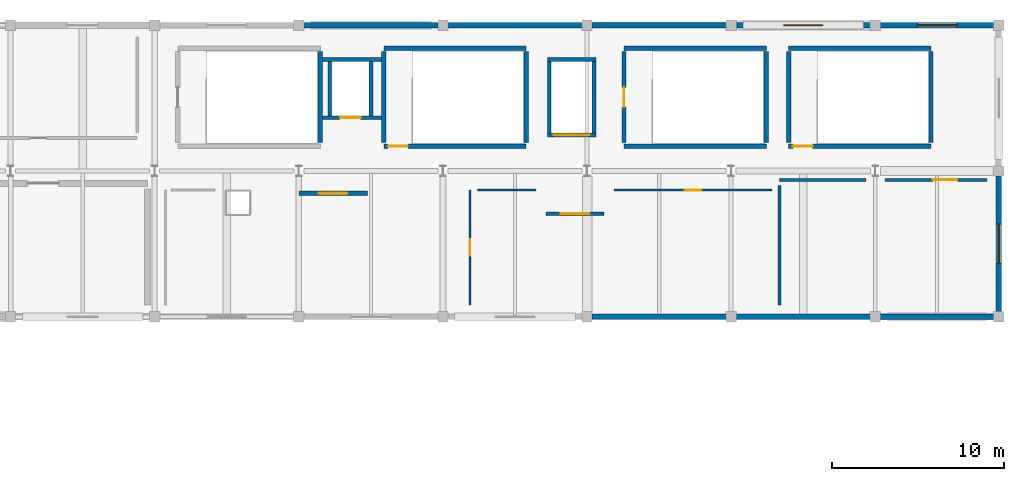
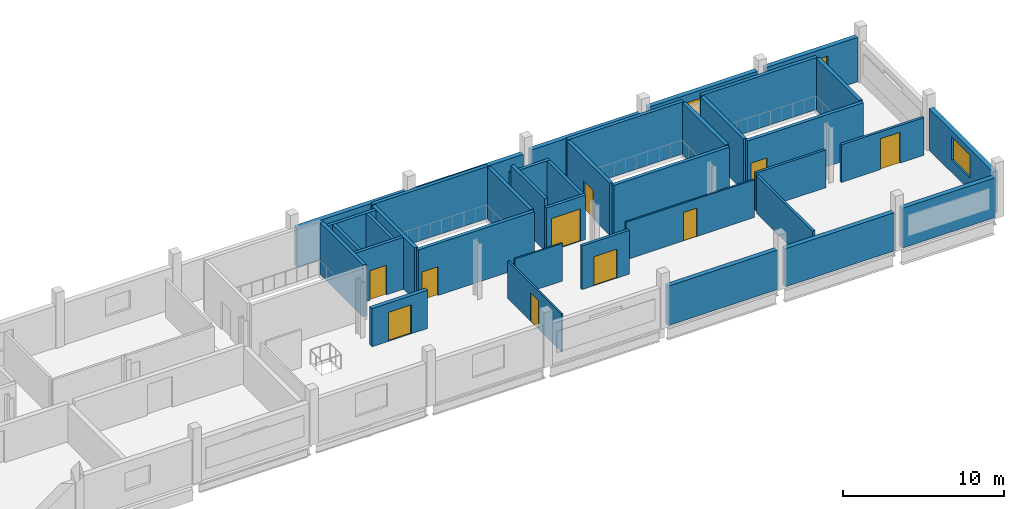
# One storey, part 10 of 13: 38 walls, 10 doors, 3 windows, 13 openings.
"""IFC4 building model written with IfcOpenShell, lengths in metres."""

from ifc_helpers import new_model, si_unit, direction, frame, frame_2d, origin, place, context, subcontext, project, spatial, rectangle, extrude, material, layer, layer_set, type_object, element, fill, save


model = new_model("IFC4")

# Units and contexts
model_context = context("Model", 3, precision=1e-05, world=origin(), true_north=direction((0.0, 1.0)))
body_context = subcontext(model_context, "Body", "Model", "MODEL_VIEW")
ifc_project = project(units=[si_unit("LENGTHUNIT", "METRE"), si_unit("AREAUNIT", "SQUARE_METRE"), si_unit("VOLUMEUNIT", "CUBIC_METRE"), si_unit("PLANEANGLEUNIT", "RADIAN"), si_unit("MASSUNIT", "GRAM", prefix="KILO")], contexts=[model_context])

# Site, building, storey
site_placement = place(None, origin())
site = spatial("IfcSite", under=ifc_project, at=site_placement, CompositionType="ELEMENT")
building_placement = place(site_placement, origin())
building = spatial("IfcBuilding", under=site, at=building_placement, Name="Solvento Point Concert Hall", CompositionType="ELEMENT")
storey_placement = place(building_placement, frame((0.0, 0.0, 23.699951171875)))
storey = spatial("IfcBuildingStorey", under=building, at=storey_placement, Name="L05", CompositionType="ELEMENT", Elevation=23.699951171875)

# Wall, opening, door
ifc_material_1 = material(Name="Acoustic Double-Stud Gypsum Partition")
ifc_layer_1 = layer(ifc_material_1, 0.1201171875)
ifc_layer_set_1 = layer_set([ifc_layer_1], Name="Acoustic Double-Stud Gypsum Partition")
wall_type_1 = type_object("IfcWallType", Name="AcousticPartition_120", PredefinedType="PARTITIONING", material=ifc_layer_set_1)
wall_1_placement = place(storey_placement, frame((185.179931640625, 126.3798828125, 0.0), z_axis=(0.0, 0.0, 1.0), x_axis=(0.0, -1.0, 0.0)))
wall_1 = element("IfcWall", 1, at=wall_1_placement, inside=storey, type_object=wall_type_1, Name="Interior acoustic partition PW-52 L05", PredefinedType="PARTITIONING", context=body_context, shape_type="SweptSolid", body=[
    extrude(rectangle(XDim=6.679931640625, YDim=0.1201171875, at=frame_2d((3.33984375, 0.0))), origin(), (0.0, 0.0, 1.0), 2.860107421875),
])
opening_1_placement = place(wall_1_placement, frame((2.85009765625, 0.0, 0.0)))
opening_1 = element("IfcOpeningElement", 2, at=opening_1_placement, cuts=wall_1, Name="Opening DR-89", PredefinedType="OPENING", context=body_context, shape_type="SweptSolid", body=[
    extrude(rectangle(XDim=0.97998046875, YDim=2.159912109375, at=frame_2d((0.489990234375, 1.080078125))), frame((0.0, 0.070068359375, 0.0), z_axis=(0.0, -1.0, 0.0), x_axis=(1.0, 0.0, 0.0)), (0.0, 0.0, 1.0), 0.14013671875),
])
ifc_material_2 = material(Name="Brazilian Hardwood Acoustic Door", Category="wood")
door_type_1 = type_object("IfcDoorType", Name="IntDoor_AdminOffice", OperationType="NOTDEFINED", PredefinedType="DOOR", material=ifc_material_2)
door_1_placement = place(opening_1_placement, origin())
door_1 = element("IfcDoor", 3, at=door_1_placement, inside=storey, type_object=door_type_1, Name="Interior door DR-89 L05", OperationType="SINGLE_SWING_RIGHT", OverallHeight=2.159912109375, OverallWidth=0.97998046875, PredefinedType="DOOR", context=body_context, shape_type="SweptSolid", body=[
    extrude(rectangle(XDim=0.97998046875, YDim=2.159912109375, at=frame_2d((0.489990234375, 1.080078125))), frame((0.0, 0.02490234375, 0.0), z_axis=(0.0, -1.0, 0.0), x_axis=(1.0, 0.0, 0.0)), (0.0, 0.0, 1.0), 0.050048828125),
])
fill(opening_1, door_1)

wall_2_placement = place(storey_placement, frame((193.570068359375, 126.3798828125, 0.0), z_axis=(0.0, 0.0, 1.0), x_axis=(1.0, 0.0, 0.0)))
wall_2 = element("IfcWall", 4, at=wall_2_placement, inside=storey, type_object=wall_type_1, Name="Interior acoustic partition PW-52 L05", PredefinedType="PARTITIONING", context=body_context, shape_type="SweptSolid", body=[
    extrude(rectangle(XDim=9.2099609375, YDim=0.1201171875, at=frame_2d((4.60498046875, 0.0))), origin(), (0.0, 0.0, 1.0), 2.860107421875),
])
opening_2_placement = place(wall_2_placement, frame((4.114990234375, 0.0, 0.0)))
opening_2 = element("IfcOpeningElement", 5, at=opening_2_placement, cuts=wall_2, Name="Opening DR-89", PredefinedType="OPENING", context=body_context, shape_type="SweptSolid", body=[
    extrude(rectangle(XDim=0.97998046875, YDim=2.159912109375, at=frame_2d((0.489990234375, 1.080078125))), frame((0.0, 0.070068359375, 0.0), z_axis=(0.0, -1.0, 0.0), x_axis=(1.0, 0.0, 0.0)), (0.0, 0.0, 1.0), 0.14013671875),
])
door_2_placement = place(opening_2_placement, origin())
door_2 = element("IfcDoor", 6, at=door_2_placement, inside=storey, type_object=door_type_1, Name="Interior door DR-89 L05", OperationType="SINGLE_SWING_LEFT", OverallHeight=2.159912109375, OverallWidth=0.97998046875, PredefinedType="DOOR", context=body_context, shape_type="SweptSolid", body=[
    extrude(rectangle(XDim=0.97998046875, YDim=2.159912109375, at=frame_2d((0.489990234375, 1.080078125))), frame((0.0, 0.02490234375, 0.0), z_axis=(0.0, -1.0, 0.0), x_axis=(1.0, 0.0, 0.0)), (0.0, 0.0, 1.0), 0.050048828125),
])
fill(opening_2, door_2)

# Walls
wall_3_placement = place(storey_placement, frame((185.6201171875, 126.3798828125, 0.0), z_axis=(0.0, 0.0, 1.0), x_axis=(1.0, 0.0, 0.0)))
element("IfcWall", 7, at=wall_3_placement, inside=storey, type_object=wall_type_1, Name="Interior acoustic partition PW-52 L05", PredefinedType="PARTITIONING", context=body_context, shape_type="SweptSolid", body=[
    extrude(rectangle(XDim=3.409912109375, YDim=0.1201171875, at=frame_2d((1.705078125, 0.0))), origin(), (0.0, 0.0, 1.0), 2.860107421875),
])
ifc_material_3 = material(Name="Acoustic Double-Stud Gypsum Partition")
ifc_layer_2 = layer(ifc_material_3, 0.179931640625)
ifc_layer_set_2 = layer_set([ifc_layer_2], Name="Acoustic Double-Stud Gypsum Partition")
wall_type_2 = type_object("IfcWallType", Name="AcousticPartition_180", PredefinedType="PARTITIONING", material=ifc_layer_set_2)
wall_4_placement = place(storey_placement, frame((203.219970703125, 126.97998046875, 0.0), z_axis=(0.0, 0.0, 1.0), x_axis=(1.0, 0.0, 0.0)))
element("IfcWall", 8, at=wall_4_placement, inside=storey, type_object=wall_type_2, Name="Interior acoustic partition PW-63 L05", PredefinedType="PARTITIONING", context=body_context, shape_type="SweptSolid", body=[
    extrude(rectangle(XDim=5.0244140625, YDim=0.179931640625, at=frame_2d((2.51220703125, 0.0))), origin(), (0.0, 0.0, 1.0), 2.860107421875),
])

# Wall, opening, door
wall_5_placement = place(storey_placement, frame((209.35546875, 126.97998046875, 0.0), z_axis=(0.0, 0.0, 1.0), x_axis=(1.0, 0.0, 0.0)))
wall_5 = element("IfcWall", 9, at=wall_5_placement, inside=storey, type_object=wall_type_2, Name="Interior acoustic partition PW-63 L05", PredefinedType="PARTITIONING", context=body_context, shape_type="SweptSolid", body=[
    extrude(rectangle(XDim=5.944580078125, YDim=0.179931640625, at=frame_2d((2.97216796875, 0.0))), origin(), (0.0, 0.0, 1.0), 2.860107421875),
])
opening_3_placement = place(wall_5_placement, frame((2.80517578125, 0.0, 0.0)))
opening_3 = element("IfcOpeningElement", 10, at=opening_3_placement, cuts=wall_5, Name="Opening DR-81", PredefinedType="OPENING", context=body_context, shape_type="SweptSolid", body=[
    extrude(rectangle(XDim=1.419921875, YDim=2.340087890625, at=frame_2d((0.7099609375, 1.169921875))), frame((0.0, 0.099853515625, 0.0), z_axis=(0.0, -1.0, 0.0), x_axis=(1.0, 0.0, 0.0)), (0.0, 0.0, 1.0), 0.199951171875),
])
ifc_material_4 = material(Name="Brazilian Hardwood Acoustic Door", Category="wood")
door_type_2 = type_object("IfcDoorType", Name="IntDoor_CanteenGreenRm", OperationType="NOTDEFINED", PredefinedType="DOOR", material=ifc_material_4)
door_3_placement = place(opening_3_placement, origin())
door_3 = element("IfcDoor", 11, at=door_3_placement, inside=storey, type_object=door_type_2, Name="Interior door DR-81 L05", OperationType="SINGLE_SWING_RIGHT", OverallHeight=2.340087890625, OverallWidth=1.419921875, PredefinedType="DOOR", context=body_context, shape_type="SweptSolid", body=[
    extrude(rectangle(XDim=1.419921875, YDim=2.340087890625, at=frame_2d((0.7099609375, 1.169921875))), frame((0.0, 0.02490234375, 0.0), z_axis=(0.0, -1.0, 0.0), x_axis=(1.0, 0.0, 0.0)), (0.0, 0.0, 1.0), 0.050048828125),
])
fill(opening_3, door_3)

# Wall
wall_6_placement = place(storey_placement, frame((203.219970703125, 119.699951171875, 0.0), z_axis=(0.0, 0.0, 1.0), x_axis=(0.0, 1.0, 0.0)))
element("IfcWall", 12, at=wall_6_placement, inside=storey, type_object=wall_type_2, Name="Interior acoustic partition PW-63 L05", PredefinedType="PARTITIONING", context=body_context, shape_type="SweptSolid", body=[
    extrude(rectangle(XDim=6.9599609375, YDim=0.179931640625, at=frame_2d((3.47998046875, 0.0))), origin(), (0.0, 0.0, 1.0), 2.860107421875),
])

# Wall, opening, door
ifc_material_5 = material(Name="Acoustic Double-Stud Gypsum Partition")
ifc_layer_3 = layer(ifc_material_5, 0.2080078125)
ifc_layer_set_3 = layer_set([ifc_layer_3], Name="Acoustic Double-Stud Gypsum Partition")
wall_type_3 = type_object("IfcWallType", Name="AcousticPartition_208", PredefinedType="PARTITIONING", material=ifc_layer_set_3)
wall_7_placement = place(storey_placement, frame((189.60009765625, 125.0, 0.0), z_axis=(0.0, 0.0, 1.0), x_axis=(1.0, 0.0, 0.0)))
wall_7 = element("IfcWall", 13, at=wall_7_placement, inside=storey, type_object=wall_type_3, Name="Lift lobby partition LG-02 L05", PredefinedType="PARTITIONING", context=body_context, shape_type="SweptSolid", body=[
    extrude(rectangle(XDim=3.39990234375, YDim=0.2080078125, at=frame_2d((1.699951171875, 0.0))), origin(), (0.0, 0.0, 1.0), 3.316162109375),
])
opening_4_placement = place(wall_7_placement, frame((0.875, 0.0, 0.0)))
opening_4 = element("IfcOpeningElement", 14, at=opening_4_placement, cuts=wall_7, Name="Opening D-FL1", PredefinedType="OPENING", context=body_context, shape_type="SweptSolid", body=[
    extrude(rectangle(XDim=1.64990234375, YDim=2.199951171875, at=frame_2d((0.824951171875, 1.10009765625))), frame((0.0, 0.114013671875, 0.0), z_axis=(0.0, -1.0, 0.0), x_axis=(1.0, 0.0, 0.0)), (0.0, 0.0, 1.0), 0.22802734375),
])
ifc_material_6 = material(Name="Hollow Metal Acoustic Fire Door")
door_type_3 = type_object("IfcDoorType", Name="FireLobbyDoor_1600", OperationType="DOUBLE_DOOR_SINGLE_SWING", PredefinedType="DOOR", material=ifc_material_6)
door_4_placement = place(opening_4_placement, origin())
door_4 = element("IfcDoor", 15, at=door_4_placement, inside=storey, type_object=door_type_3, Name="Lift lobby door LG-02 L05", OperationType="DOUBLE_DOOR_SINGLE_SWING", OverallHeight=2.199951171875, OverallWidth=1.64990234375, PredefinedType="DOOR", context=body_context, shape_type="SweptSolid", body=[
    extrude(rectangle(XDim=1.64990234375, YDim=2.199951171875, at=frame_2d((0.824951171875, 1.10009765625))), frame((0.0, 0.02490234375, 0.0), z_axis=(0.0, -1.0, 0.0), x_axis=(1.0, 0.0, 0.0)), (0.0, 0.0, 1.0), 0.050048828125),
])
fill(opening_4, door_4)

# Walls
ifc_material_7 = material(Name="Concrete C40/50", Category="concrete")
ifc_layer_4 = layer(ifc_material_7, 0.300048828125)
ifc_layer_set_4 = layer_set([ifc_layer_4], Name="Concrete C40/50")
wall_type_4 = type_object("IfcWallType", Name="CoreShearWall_300", PredefinedType="SHEAR", material=ifc_layer_set_4)
wall_8_placement = place(storey_placement, frame((176.449951171875, 134.449951171875, 0.0), z_axis=(0.0, 0.0, 1.0), x_axis=(0.0, -1.0, 0.0)))
element("IfcWall", 16, at=wall_8_placement, inside=storey, type_object=wall_type_4, Name="Stair core shear wall W-SH1 ST-01 L05", PredefinedType="SHEAR", context=body_context, shape_type="SweptSolid", body=[
    extrude(rectangle(XDim=5.300048828125, YDim=0.25, at=frame_2d((2.64990234375, 0.0))), origin(), (0.0, 0.0, 1.0), 3.93994140625),
])
for number, where, z_axis, x_axis, name in (
    (17, (202.449951171875, 128.949951171875, 0.0), (0.0, 0.0, 1.0), (-1.0, 0.0, 0.0), "Stair core shear wall W-SH1 ST-02 L05"),
    (18, (194.14990234375, 134.64990234375, 0.0), (0.0, 0.0, 1.0), (1.0, 0.0, 0.0), "Stair core shear wall W-SH1 ST-02 L05"),
):
    element("IfcWall", number, at=place(storey_placement, frame(where, z_axis=z_axis, x_axis=x_axis)), inside=storey, type_object=wall_type_4, Name=name, PredefinedType="SHEAR", context=body_context, shape_type="SweptSolid", body=[
        extrude(rectangle(XDim=8.300048828125, YDim=0.25, at=frame_2d((4.14990234375, 0.0))), origin(), (0.0, 0.0, 1.0), 3.93994140625),
    ])

# Wall, opening, door
wall_9_placement = place(storey_placement, frame((194.14990234375, 129.14990234375, 0.0), z_axis=(0.0, 0.0, 1.0), x_axis=(0.0, 1.0, 0.0)))
wall_9 = element("IfcWall", 19, at=wall_9_placement, inside=storey, type_object=wall_type_4, Name="Stair core shear wall W-SH1 ST-02 L05", PredefinedType="SHEAR", context=body_context, shape_type="SweptSolid", body=[
    extrude(rectangle(XDim=5.300048828125, YDim=0.25, at=frame_2d((2.64990234375, 0.0))), origin(), (0.0, 0.0, 1.0), 3.93994140625),
])
opening_5_placement = place(wall_9_placement, frame((2.074951171875, 0.0, 0.0)))
opening_5 = element("IfcOpeningElement", 20, at=opening_5_placement, cuts=wall_9, Name="Opening D-ST1", PredefinedType="OPENING", context=body_context, shape_type="SweptSolid", body=[
    extrude(rectangle(XDim=1.14990234375, YDim=2.179931640625, at=frame_2d((0.574951171875, 1.08984375))), frame((0.0, 0.135009765625, 0.0), z_axis=(0.0, -1.0, 0.0), x_axis=(1.0, 0.0, 0.0)), (0.0, 0.0, 1.0), 0.27001953125),
])
ifc_material_8 = material(Name="Hollow Metal Acoustic Fire Door")
door_type_4 = type_object("IfcDoorType", Name="StairFireDoor_1150", OperationType="NOTDEFINED", PredefinedType="DOOR", material=ifc_material_8)
door_5_placement = place(opening_5_placement, origin())
door_5 = element("IfcDoor", 21, at=door_5_placement, inside=storey, type_object=door_type_4, Name="Protected exit stair door ST-02 L05", OperationType="SINGLE_SWING_RIGHT", OverallHeight=2.179931640625, OverallWidth=1.14990234375, PredefinedType="DOOR", context=body_context, shape_type="SweptSolid", body=[
    extrude(rectangle(XDim=1.14990234375, YDim=2.179931640625, at=frame_2d((0.574951171875, 1.08984375))), frame((0.0, 0.02490234375, 0.0), z_axis=(0.0, -1.0, 0.0), x_axis=(1.0, 0.0, 0.0)), (0.0, 0.0, 1.0), 0.050048828125),
])
fill(opening_5, door_5)

# Wall
wall_10_placement = place(storey_placement, frame((202.449951171875, 134.449951171875, 0.0), z_axis=(0.0, 0.0, 1.0), x_axis=(0.0, -1.0, 0.0)))
element("IfcWall", 22, at=wall_10_placement, inside=storey, type_object=wall_type_4, Name="Stair core shear wall W-SH1 ST-02 L05", PredefinedType="SHEAR", context=body_context, shape_type="SweptSolid", body=[
    extrude(rectangle(XDim=5.300048828125, YDim=0.25, at=frame_2d((2.64990234375, 0.0))), origin(), (0.0, 0.0, 1.0), 3.93994140625),
])

# Wall, opening, door
wall_11_placement = place(storey_placement, frame((188.449951171875, 128.949951171875, 0.0), z_axis=(0.0, 0.0, 1.0), x_axis=(-1.0, 0.0, 0.0)))
wall_11 = element("IfcWall", 23, at=wall_11_placement, inside=storey, type_object=wall_type_4, Name="Stair core shear wall W-SH1 ST-10 L05", PredefinedType="SHEAR", context=body_context, shape_type="SweptSolid", body=[
    extrude(rectangle(XDim=8.300048828125, YDim=0.25, at=frame_2d((4.14990234375, 0.0))), origin(), (0.0, 0.0, 1.0), 3.93994140625),
])
opening_6_placement = place(wall_11_placement, frame((6.89990234375, 0.0, 0.0)))
opening_6 = element("IfcOpeningElement", 24, at=opening_6_placement, cuts=wall_11, Name="Opening D-ST1", PredefinedType="OPENING", context=body_context, shape_type="SweptSolid", body=[
    extrude(rectangle(XDim=1.14990234375, YDim=2.179931640625, at=frame_2d((0.574951171875, 1.08984375))), frame((0.0, 0.135009765625, 0.0), z_axis=(0.0, -1.0, 0.0), x_axis=(1.0, 0.0, 0.0)), (0.0, 0.0, 1.0), 0.27001953125),
])
door_6_placement = place(opening_6_placement, origin())
door_6 = element("IfcDoor", 25, at=door_6_placement, inside=storey, type_object=door_type_4, Name="Protected exit stair door ST-10 L05", OperationType="SINGLE_SWING_LEFT", OverallHeight=2.179931640625, OverallWidth=1.14990234375, PredefinedType="DOOR", context=body_context, shape_type="SweptSolid", body=[
    extrude(rectangle(XDim=1.14990234375, YDim=2.179931640625, at=frame_2d((0.574951171875, 1.08984375))), frame((0.0, 0.02490234375, 0.0), z_axis=(0.0, -1.0, 0.0), x_axis=(1.0, 0.0, 0.0)), (0.0, 0.0, 1.0), 0.050048828125),
])
fill(opening_6, door_6)

# Walls
wall_12_placement = place(storey_placement, frame((180.14990234375, 134.64990234375, 0.0), z_axis=(0.0, 0.0, 1.0), x_axis=(1.0, 0.0, 0.0)))
element("IfcWall", 26, at=wall_12_placement, inside=storey, type_object=wall_type_4, Name="Stair core shear wall W-SH1 ST-10 L05", PredefinedType="SHEAR", context=body_context, shape_type="SweptSolid", body=[
    extrude(rectangle(XDim=8.300048828125, YDim=0.25, at=frame_2d((4.14990234375, 0.0))), origin(), (0.0, 0.0, 1.0), 3.93994140625),
])
for number, where, z_axis, x_axis, name in (
    (27, (180.14990234375, 129.14990234375, 0.0), (0.0, 0.0, 1.0), (0.0, 1.0, 0.0), "Stair core shear wall W-SH1 ST-10 L05"),
    (28, (188.449951171875, 134.449951171875, 0.0), (0.0, 0.0, 1.0), (0.0, -1.0, 0.0), "Stair core shear wall W-SH1 ST-10 L05"),
):
    element("IfcWall", number, at=place(storey_placement, frame(where, z_axis=z_axis, x_axis=x_axis)), inside=storey, type_object=wall_type_4, Name=name, PredefinedType="SHEAR", context=body_context, shape_type="SweptSolid", body=[
        extrude(rectangle(XDim=5.300048828125, YDim=0.25, at=frame_2d((2.64990234375, 0.0))), origin(), (0.0, 0.0, 1.0), 3.93994140625),
    ])

# Wall, opening, door
wall_13_placement = place(storey_placement, frame((212.050048828125, 128.949951171875, 0.0), z_axis=(0.0, 0.0, 1.0), x_axis=(-1.0, 0.0, 0.0)))
wall_13 = element("IfcWall", 29, at=wall_13_placement, inside=storey, type_object=wall_type_4, Name="Stair core shear wall W-SH1 ST-11 L05", PredefinedType="SHEAR", context=body_context, shape_type="SweptSolid", body=[
    extrude(rectangle(XDim=8.300048828125, YDim=0.25, at=frame_2d((4.14990234375, 0.0))), origin(), (0.0, 0.0, 1.0), 3.93994140625),
])
opening_7_placement = place(wall_13_placement, frame((6.89990234375, 0.0, 0.0)))
opening_7 = element("IfcOpeningElement", 30, at=opening_7_placement, cuts=wall_13, Name="Opening D-ST1", PredefinedType="OPENING", context=body_context, shape_type="SweptSolid", body=[
    extrude(rectangle(XDim=1.14990234375, YDim=2.179931640625, at=frame_2d((0.574951171875, 1.08984375))), frame((0.0, 0.135009765625, 0.0), z_axis=(0.0, -1.0, 0.0), x_axis=(1.0, 0.0, 0.0)), (0.0, 0.0, 1.0), 0.27001953125),
])
door_7_placement = place(opening_7_placement, origin())
door_7 = element("IfcDoor", 31, at=door_7_placement, inside=storey, type_object=door_type_4, Name="Protected exit stair door ST-11 L05", OperationType="SINGLE_SWING_LEFT", OverallHeight=2.179931640625, OverallWidth=1.14990234375, PredefinedType="DOOR", context=body_context, shape_type="SweptSolid", body=[
    extrude(rectangle(XDim=1.14990234375, YDim=2.179931640625, at=frame_2d((0.574951171875, 1.08984375))), frame((0.0, 0.02490234375, 0.0), z_axis=(0.0, -1.0, 0.0), x_axis=(1.0, 0.0, 0.0)), (0.0, 0.0, 1.0), 0.050048828125),
])
fill(opening_7, door_7)

# Walls
wall_14_placement = place(storey_placement, frame((203.75, 134.64990234375, 0.0), z_axis=(0.0, 0.0, 1.0), x_axis=(1.0, 0.0, 0.0)))
element("IfcWall", 32, at=wall_14_placement, inside=storey, type_object=wall_type_4, Name="Stair core shear wall W-SH1 ST-11 L05", PredefinedType="SHEAR", context=body_context, shape_type="SweptSolid", body=[
    extrude(rectangle(XDim=8.300048828125, YDim=0.25, at=frame_2d((4.14990234375, 0.0))), origin(), (0.0, 0.0, 1.0), 3.93994140625),
])
for number, where, z_axis, x_axis, name in (
    (33, (203.75, 129.14990234375, 0.0), (0.0, 0.0, 1.0), (0.0, 1.0, 0.0), "Stair core shear wall W-SH1 ST-11 L05"),
    (34, (212.050048828125, 134.449951171875, 0.0), (0.0, 0.0, 1.0), (0.0, -1.0, 0.0), "Stair core shear wall W-SH1 ST-11 L05"),
):
    element("IfcWall", number, at=place(storey_placement, frame(where, z_axis=z_axis, x_axis=x_axis)), inside=storey, type_object=wall_type_4, Name=name, PredefinedType="SHEAR", context=body_context, shape_type="SweptSolid", body=[
        extrude(rectangle(XDim=5.300048828125, YDim=0.25, at=frame_2d((2.64990234375, 0.0))), origin(), (0.0, 0.0, 1.0), 3.93994140625),
    ])

# Wall, opening, door
wall_15_placement = place(storey_placement, frame((176.574951171875, 130.60009765625, 0.0), z_axis=(0.0, 0.0, 1.0), x_axis=(1.0, 0.0, 0.0)))
wall_15 = element("IfcWall", 35, at=wall_15_placement, inside=storey, type_object=wall_type_4, Name="Elevator shaft shear wall W-SH1 LF-01 L05", PredefinedType="SHEAR", context=body_context, shape_type="SweptSolid", body=[
    extrude(rectangle(XDim=3.449951171875, YDim=0.219970703125, at=frame_2d((1.72509765625, 0.0))), origin(), (0.0, 0.0, 1.0), 3.93994140625),
])
opening_8_placement = place(wall_15_placement, frame((1.02490234375, 0.0, 0.0)))
opening_8 = element("IfcOpeningElement", 36, at=opening_8_placement, cuts=wall_15, Name="Opening LD-01", PredefinedType="OPENING", context=body_context, shape_type="SweptSolid", body=[
    extrude(rectangle(XDim=1.199951171875, YDim=2.25, at=frame_2d((0.60009765625, 1.125))), frame((0.0, 0.119873046875, 0.0), z_axis=(0.0, -1.0, 0.0), x_axis=(1.0, 0.0, 0.0)), (0.0, 0.0, 1.0), 0.239990234375),
])
ifc_material_9 = material(Name="Hollow Metal Acoustic Fire Door")
door_type_5 = type_object("IfcDoorType", Name="LiftLandingDoor_FF", OperationType="SLIDING_TO_LEFT", PredefinedType="DOOR", material=ifc_material_9)
door_8_placement = place(opening_8_placement, origin())
door_8 = element("IfcDoor", 37, at=door_8_placement, inside=storey, type_object=door_type_5, Name="Elevator landing door LF-01 L05", OperationType="SLIDING_TO_LEFT", OverallHeight=2.25, OverallWidth=1.199951171875, PredefinedType="DOOR", context=body_context, shape_type="SweptSolid", body=[
    extrude(rectangle(XDim=1.199951171875, YDim=2.25, at=frame_2d((0.60009765625, 1.125))), frame((0.0, 0.02490234375, 0.0), z_axis=(0.0, -1.0, 0.0), x_axis=(1.0, 0.0, 0.0)), (0.0, 0.0, 1.0), 0.050048828125),
])
fill(opening_8, door_8)

# Walls
wall_16_placement = place(storey_placement, frame((176.574951171875, 134.0, 0.0), z_axis=(0.0, 0.0, 1.0), x_axis=(1.0, 0.0, 0.0)))
element("IfcWall", 38, at=wall_16_placement, inside=storey, type_object=wall_type_4, Name="Elevator shaft shear wall W-SH1 LF-01 L05", PredefinedType="SHEAR", context=body_context, shape_type="SweptSolid", body=[
    extrude(rectangle(XDim=3.449951171875, YDim=0.219970703125, at=frame_2d((1.72509765625, 0.0))), origin(), (0.0, 0.0, 1.0), 3.93994140625),
])
for number, where, z_axis, x_axis, name in (
    (39, (177.0, 130.7099609375, 0.0), (0.0, 0.0, 1.0), (0.0, 1.0, 0.0), "Elevator shaft shear wall W-SH1 LF-01 L05"),
    (40, (179.39990234375, 130.7099609375, 0.0), (0.0, 0.0, 1.0), (0.0, 1.0, 0.0), "Elevator shaft shear wall W-SH1 LF-01 L05"),
):
    element("IfcWall", number, at=place(storey_placement, frame(where, z_axis=z_axis, x_axis=x_axis)), inside=storey, type_object=wall_type_4, Name=name, PredefinedType="SHEAR", context=body_context, shape_type="SweptSolid", body=[
        extrude(rectangle(XDim=3.179931640625, YDim=0.219970703125, at=frame_2d((1.58984375, 0.0))), origin(), (0.0, 0.0, 1.0), 3.93994140625),
    ])

# Wall, opening, door
wall_17_placement = place(storey_placement, frame((189.68994140625, 129.60009765625, 0.0), z_axis=(0.0, 0.0, 1.0), x_axis=(1.0, 0.0, 0.0)))
wall_17 = element("IfcWall", 41, at=wall_17_placement, inside=storey, type_object=wall_type_4, Name="Elevator shaft shear wall W-SH1 LG-02 L05", PredefinedType="SHEAR", context=body_context, shape_type="SweptSolid", body=[
    extrude(rectangle(XDim=2.820068359375, YDim=0.219970703125, at=frame_2d((1.41015625, 0.0))), origin(), (0.0, 0.0, 1.0), 3.375),
])
opening_9_placement = place(wall_17_placement, frame((0.360107421875, 0.0, 0.0)))
opening_9 = element("IfcOpeningElement", 42, at=opening_9_placement, cuts=wall_17, Name="Opening LD-03", PredefinedType="OPENING", context=body_context, shape_type="SweptSolid", body=[
    extrude(rectangle(XDim=2.10009765625, YDim=2.449951171875, at=frame_2d((1.050048828125, 1.22509765625))), frame((0.0, 0.119873046875, 0.0), z_axis=(0.0, -1.0, 0.0), x_axis=(1.0, 0.0, 0.0)), (0.0, 0.0, 1.0), 0.239990234375),
])
ifc_material_10 = material(Name="Hollow Metal Acoustic Fire Door")
door_type_6 = type_object("IfcDoorType", Name="LiftLandingDoor_Goods", OperationType="DOUBLE_DOOR_SLIDING", PredefinedType="DOOR", material=ifc_material_10)
door_9_placement = place(opening_9_placement, origin())
door_9 = element("IfcDoor", 43, at=door_9_placement, inside=storey, type_object=door_type_6, Name="Elevator landing door LG-02 L05", OperationType="DOUBLE_DOOR_SLIDING", OverallHeight=2.449951171875, OverallWidth=2.10009765625, PredefinedType="DOOR", context=body_context, shape_type="SweptSolid", body=[
    extrude(rectangle(XDim=2.10009765625, YDim=2.449951171875, at=frame_2d((1.050048828125, 1.22509765625))), frame((0.0, 0.02490234375, 0.0), z_axis=(0.0, -1.0, 0.0), x_axis=(1.0, 0.0, 0.0)), (0.0, 0.0, 1.0), 0.050048828125),
])
fill(opening_9, door_9)

# Walls
wall_18_placement = place(storey_placement, frame((189.68994140625, 134.0, 0.0), z_axis=(0.0, 0.0, 1.0), x_axis=(1.0, 0.0, 0.0)))
element("IfcWall", 44, at=wall_18_placement, inside=storey, type_object=wall_type_4, Name="Elevator shaft shear wall W-SH1 LG-02 L05", PredefinedType="SHEAR", context=body_context, shape_type="SweptSolid", body=[
    extrude(rectangle(XDim=2.820068359375, YDim=0.219970703125, at=frame_2d((1.41015625, 0.0))), origin(), (0.0, 0.0, 1.0), 3.375),
])
wall_19_placement = place(storey_placement, frame((189.800048828125, 129.7099609375, 0.0), z_axis=(0.0, 0.0, 1.0), x_axis=(0.0, 1.0, 0.0)))
element("IfcWall", 45, at=wall_19_placement, inside=storey, type_object=wall_type_4, Name="Elevator shaft shear wall W-SH1 LG-02 L05", PredefinedType="SHEAR", context=body_context, shape_type="SweptSolid", body=[
    extrude(rectangle(XDim=4.179931640625, YDim=0.219970703125, at=frame_2d((2.08984375, 0.0))), origin(), (0.0, 0.0, 1.0), 3.93994140625),
])
wall_20_placement = place(storey_placement, frame((192.39990234375, 129.7099609375, 0.0), z_axis=(0.0, 0.0, 1.0), x_axis=(0.0, 1.0, 0.0)))
element("IfcWall", 46, at=wall_20_placement, inside=storey, type_object=wall_type_4, Name="Elevator shaft shear wall W-SH1 LG-02 L05", PredefinedType="SHEAR", context=body_context, shape_type="SweptSolid", body=[
    extrude(rectangle(XDim=4.179931640625, YDim=0.219970703125, at=frame_2d((2.08984375, 0.0))), origin(), (0.0, 0.0, 1.0), 3.375),
])

# Wall, opening, door
ifc_material_11 = material(Name="Concrete C40/50", Category="concrete")
ifc_layer_5 = layer(ifc_material_11, 0.35009765625)
ifc_layer_set_5 = layer_set([ifc_layer_5], Name="Concrete C40/50")
wall_type_5 = type_object("IfcWallType", Name="CoreShearWall_350", PredefinedType="SHEAR", material=ifc_layer_set_5)
wall_21_placement = place(storey_placement, frame((175.199951171875, 126.199951171875, 0.0), z_axis=(0.0, 0.0, 1.0), x_axis=(1.0, 0.0, 0.0)))
wall_21 = element("IfcWall", 47, at=wall_21_placement, inside=storey, type_object=wall_type_5, Name="Firefighting lift lobby wall LF-01 L05", PredefinedType="SHEAR", context=body_context, shape_type="SweptSolid", body=[
    extrude(rectangle(XDim=4.0, YDim=0.280029296875, at=frame_2d((2.0, 0.0))), origin(), (0.0, 0.0, 1.0), 2.89794921875),
])
opening_10_placement = place(wall_21_placement, frame((1.175048828125, 0.0, 0.0)))
opening_10 = element("IfcOpeningElement", 48, at=opening_10_placement, cuts=wall_21, Name="Opening D-FL1", PredefinedType="OPENING", context=body_context, shape_type="SweptSolid", body=[
    extrude(rectangle(XDim=1.64990234375, YDim=2.199951171875, at=frame_2d((0.824951171875, 1.10009765625))), frame((0.0, 0.14990234375, 0.0), z_axis=(0.0, -1.0, 0.0), x_axis=(1.0, 0.0, 0.0)), (0.0, 0.0, 1.0), 0.300048828125),
])
door_10_placement = place(opening_10_placement, origin())
door_10 = element("IfcDoor", 49, at=door_10_placement, inside=storey, type_object=door_type_3, Name="Firefighting lobby door LF-01 L05", OperationType="DOUBLE_DOOR_SINGLE_SWING", OverallHeight=2.199951171875, OverallWidth=1.64990234375, PredefinedType="DOOR", context=body_context, shape_type="SweptSolid", body=[
    extrude(rectangle(XDim=1.64990234375, YDim=2.199951171875, at=frame_2d((0.824951171875, 1.10009765625))), frame((0.0, 0.02490234375, 0.0), z_axis=(0.0, -1.0, 0.0), x_axis=(1.0, 0.0, 0.0)), (0.0, 0.0, 1.0), 0.050048828125),
])
fill(opening_10, door_10)

# Walls
ifc_material_12 = material(Name="Concrete C35/45", Category="concrete")
ifc_layer_6 = layer(ifc_material_12, 0.330078125)
ifc_layer_set_6 = layer_set([ifc_layer_6], Name="Concrete C35/45")
wall_type_6 = type_object("IfcWallType", Name="ExtWall_V5_Plinth_330", PredefinedType="SOLIDWALL", material=ifc_layer_set_6)
wall_22_placement = place(storey_placement, frame((175.47998046875, 136.0, 0.0), z_axis=(0.0, 0.0, 1.0), x_axis=(1.0, 0.0, 0.0)))
element("IfcWall", 50, at=wall_22_placement, inside=storey, type_object=wall_type_6, Name="Exterior architectural concrete wall EW-72 L05", PredefinedType="SOLIDWALL", context=body_context, shape_type="SweptSolid", body=[
    extrude(rectangle(XDim=7.840087890625, YDim=0.330078125, at=frame_2d((3.919921875, 0.0))), origin(), (0.0, 0.0, 1.0), 2.9970703125),
])
wall_23_placement = place(storey_placement, frame((183.8798828125, 136.0, 0.0), z_axis=(0.0, 0.0, 1.0), x_axis=(1.0, 0.0, 0.0)))
element("IfcWall", 51, at=wall_23_placement, inside=storey, type_object=wall_type_6, Name="Exterior architectural concrete wall EW-72 L05", PredefinedType="SOLIDWALL", context=body_context, shape_type="SweptSolid", body=[
    extrude(rectangle(XDim=7.840087890625, YDim=0.330078125, at=frame_2d((3.919921875, 0.0))), origin(), (0.0, 0.0, 1.0), 2.89794921875),
])
wall_24_placement = place(storey_placement, frame((192.280029296875, 136.0, 0.0), z_axis=(0.0, 0.0, 1.0), x_axis=(1.0, 0.0, 0.0)))
element("IfcWall", 52, at=wall_24_placement, inside=storey, type_object=wall_type_6, Name="Exterior architectural concrete wall EW-72 L05", PredefinedType="SOLIDWALL", context=body_context, shape_type="SweptSolid", body=[
    extrude(rectangle(XDim=7.840087890625, YDim=0.330078125, at=frame_2d((3.919921875, 0.0))), origin(), (0.0, 0.0, 1.0), 3.024169921875),
])

# Wall, opening, window
wall_25_placement = place(storey_placement, frame((200.679931640625, 136.0, 0.0), z_axis=(0.0, 0.0, 1.0), x_axis=(1.0, 0.0, 0.0)))
wall_25 = element("IfcWall", 53, at=wall_25_placement, inside=storey, type_object=wall_type_6, Name="Exterior architectural concrete wall EW-72 L05", PredefinedType="SOLIDWALL", context=body_context, shape_type="SweptSolid", body=[
    extrude(rectangle(XDim=7.840087890625, YDim=0.330078125, at=frame_2d((3.919921875, 0.0))), origin(), (0.0, 0.0, 1.0), 3.316162109375),
])
opening_11_placement = place(wall_25_placement, frame((2.77001953125, 0.0, 0.949951171875)))
opening_11 = element("IfcOpeningElement", 54, at=opening_11_placement, cuts=wall_25, Name="Opening WN-81", PredefinedType="OPENING", context=body_context, shape_type="SweptSolid", body=[
    extrude(rectangle(XDim=2.300048828125, YDim=1.75, at=frame_2d((1.14990234375, 0.875))), frame((0.0, 0.175048828125, 0.0), z_axis=(0.0, -1.0, 0.0), x_axis=(1.0, 0.0, 0.0)), (0.0, 0.0, 1.0), 0.35009765625),
])
ifc_material_13 = material(Name="Hurricane Laminated Low-E Glass", Category="glass")
window_type = type_object("IfcWindowType", Name="Win_V5_AdminRibbon_L05", PartitioningType="SINGLE_PANEL", PredefinedType="WINDOW", material=ifc_material_13)
window_1_placement = place(opening_11_placement, origin())
window_1 = element("IfcWindow", 55, at=window_1_placement, inside=storey, type_object=window_type, Name="Impact acoustic window WN-81", OverallHeight=1.75, OverallWidth=2.300048828125, PartitioningType="SINGLE_PANEL", PredefinedType="WINDOW", context=body_context, shape_type="SweptSolid", body=[
    extrude(rectangle(XDim=2.300048828125, YDim=1.75, at=frame_2d((1.14990234375, 0.875))), frame((0.0, 0.030029296875, 0.0), z_axis=(0.0, -1.0, 0.0), x_axis=(1.0, 0.0, 0.0)), (0.0, 0.0, 1.0), 0.06005859375),
])
fill(opening_11, window_1)

wall_26_placement = place(storey_placement, frame((209.080078125, 136.0, 0.0), z_axis=(0.0, 0.0, 1.0), x_axis=(1.0, 0.0, 0.0)))
wall_26 = element("IfcWall", 56, at=wall_26_placement, inside=storey, type_object=wall_type_6, Name="Exterior architectural concrete wall EW-72 L05", PredefinedType="SOLIDWALL", context=body_context, shape_type="SweptSolid", body=[
    extrude(rectangle(XDim=6.639892578125, YDim=0.330078125, at=frame_2d((3.31982421875, 0.0))), origin(), (0.0, 0.0, 1.0), 3.375),
])
opening_12_placement = place(wall_26_placement, frame((2.169921875, 0.0, 0.949951171875)))
opening_12 = element("IfcOpeningElement", 57, at=opening_12_placement, cuts=wall_26, Name="Opening WN-81", PredefinedType="OPENING", context=body_context, shape_type="SweptSolid", body=[
    extrude(rectangle(XDim=2.300048828125, YDim=1.75, at=frame_2d((1.14990234375, 0.875))), frame((0.0, 0.175048828125, 0.0), z_axis=(0.0, -1.0, 0.0), x_axis=(1.0, 0.0, 0.0)), (0.0, 0.0, 1.0), 0.35009765625),
])
window_2_placement = place(opening_12_placement, origin())
window_2 = element("IfcWindow", 58, at=window_2_placement, inside=storey, type_object=window_type, Name="Impact acoustic window WN-81", OverallHeight=1.75, OverallWidth=2.300048828125, PartitioningType="SINGLE_PANEL", PredefinedType="WINDOW", context=body_context, shape_type="SweptSolid", body=[
    extrude(rectangle(XDim=2.300048828125, YDim=1.75, at=frame_2d((1.14990234375, 0.875))), frame((0.0, 0.030029296875, 0.0), z_axis=(0.0, -1.0, 0.0), x_axis=(1.0, 0.0, 0.0)), (0.0, 0.0, 1.0), 0.06005859375),
])
fill(opening_12, window_2)

wall_27_placement = place(storey_placement, frame((216.0, 127.219970703125, 0.0), z_axis=(0.0, 0.0, 1.0), x_axis=(0.0, -1.0, 0.0)))
wall_27 = element("IfcWall", 59, at=wall_27_placement, inside=storey, type_object=wall_type_6, Name="Exterior architectural concrete wall EW-72 L05", PredefinedType="SOLIDWALL", context=body_context, shape_type="SweptSolid", body=[
    extrude(rectangle(XDim=7.93994140625, YDim=0.330078125, at=frame_2d((3.969970703125, 0.0))), origin(), (0.0, 0.0, 1.0), 3.154052734375),
])
opening_13_placement = place(wall_27_placement, frame((2.820068359375, 0.0, 0.949951171875)))
opening_13 = element("IfcOpeningElement", 60, at=opening_13_placement, cuts=wall_27, Name="Opening WN-81", PredefinedType="OPENING", context=body_context, shape_type="SweptSolid", body=[
    extrude(rectangle(XDim=2.300048828125, YDim=1.75, at=frame_2d((1.14990234375, 0.875))), frame((0.0, 0.175048828125, 0.0), z_axis=(0.0, -1.0, 0.0), x_axis=(1.0, 0.0, 0.0)), (0.0, 0.0, 1.0), 0.35009765625),
])
window_3_placement = place(opening_13_placement, origin())
window_3 = element("IfcWindow", 61, at=window_3_placement, inside=storey, type_object=window_type, Name="Impact acoustic window WN-81", OverallHeight=1.75, OverallWidth=2.300048828125, PartitioningType="SINGLE_PANEL", PredefinedType="WINDOW", context=body_context, shape_type="SweptSolid", body=[
    extrude(rectangle(XDim=2.300048828125, YDim=1.75, at=frame_2d((1.14990234375, 0.875))), frame((0.0, 0.030029296875, 0.0), z_axis=(0.0, -1.0, 0.0), x_axis=(1.0, 0.0, 0.0)), (0.0, 0.0, 1.0), 0.06005859375),
])
fill(opening_13, window_3)

# Walls
wall_28_placement = place(storey_placement, frame((200.1201171875, 119.0, 0.0), z_axis=(0.0, 0.0, 1.0), x_axis=(-1.0, 0.0, 0.0)))
element("IfcWall", 62, at=wall_28_placement, inside=storey, type_object=wall_type_6, Name="Exterior architectural concrete wall EW-72 L05", PredefinedType="SOLIDWALL", context=body_context, shape_type="SweptSolid", body=[
    extrude(rectangle(XDim=7.840087890625, YDim=0.330078125, at=frame_2d((3.919921875, 0.0))), origin(), (0.0, 0.0, 1.0), 2.9970703125),
])
wall_29_placement = place(storey_placement, frame((208.52001953125, 119.0, 0.0), z_axis=(0.0, 0.0, 1.0), x_axis=(-1.0, 0.0, 0.0)))
element("IfcWall", 63, at=wall_29_placement, inside=storey, type_object=wall_type_6, Name="Exterior architectural concrete wall EW-72 L05", PredefinedType="SOLIDWALL", context=body_context, shape_type="SweptSolid", body=[
    extrude(rectangle(XDim=7.840087890625, YDim=0.330078125, at=frame_2d((3.919921875, 0.0))), origin(), (0.0, 0.0, 1.0), 2.89794921875),
])
wall_30_placement = place(storey_placement, frame((215.719970703125, 119.0, 0.0), z_axis=(0.0, 0.0, 1.0), x_axis=(-1.0, 0.0, 0.0)))
element("IfcWall", 64, at=wall_30_placement, inside=storey, type_object=wall_type_6, Name="Exterior architectural concrete wall EW-72 L05", PredefinedType="SOLIDWALL", context=body_context, shape_type="SweptSolid", body=[
    extrude(rectangle(XDim=6.639892578125, YDim=0.330078125, at=frame_2d((3.31982421875, 0.0))), origin(), (0.0, 0.0, 1.0), 3.024169921875),
])

save(model, "model.ifc")
